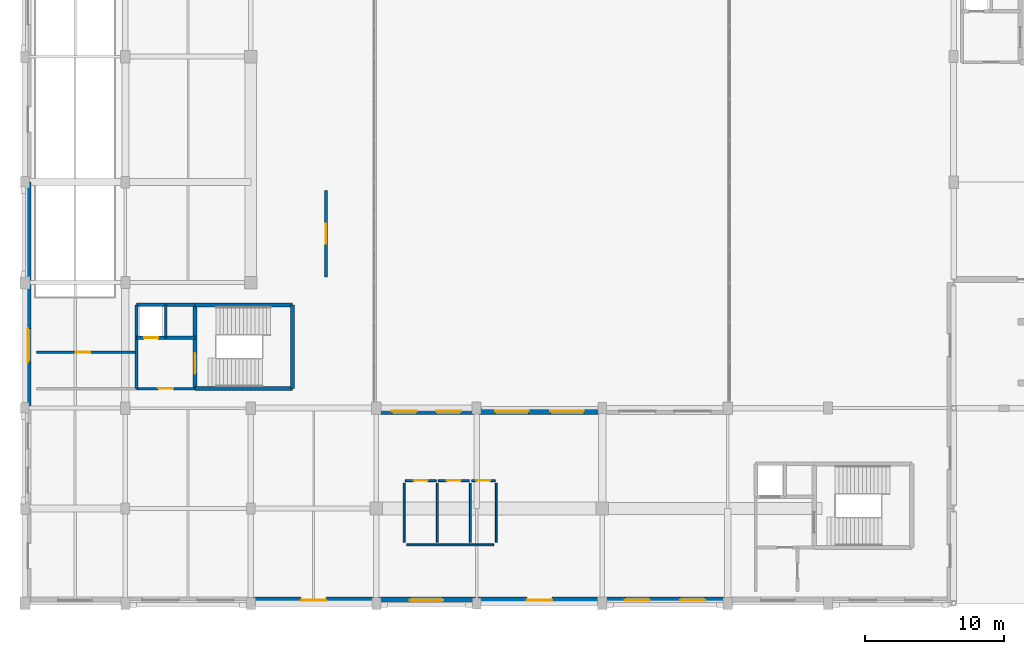
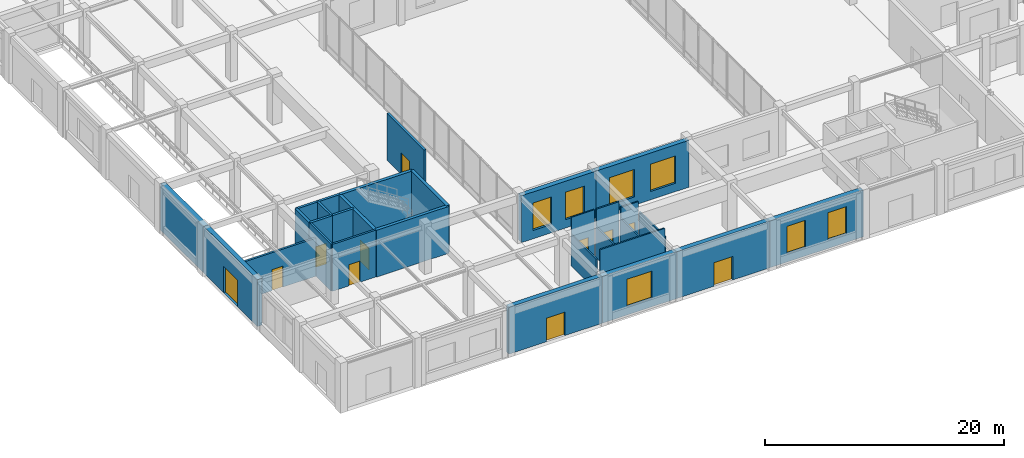
# One storey, part 45 of 64: 29 walls, 11 doors, 7 windows, 18 openings.
"""IFC4 building model written with IfcOpenShell, lengths in metres."""

from ifc_helpers import new_model, si_unit, direction, frame, frame_2d, origin, place, context, subcontext, project, spatial, rectangle, extrude, material, layer, layer_set, type_object, element, fill, save


model = new_model("IFC4")

# Units and contexts
model_context = context("Model", 3, precision=1e-05, world=origin(), true_north=direction((0.0, 1.0)))
body_context = subcontext(model_context, "Body", "Model", "MODEL_VIEW")
ifc_project = project(units=[si_unit("LENGTHUNIT", "METRE"), si_unit("AREAUNIT", "SQUARE_METRE"), si_unit("VOLUMEUNIT", "CUBIC_METRE"), si_unit("PLANEANGLEUNIT", "RADIAN"), si_unit("MASSUNIT", "GRAM", prefix="KILO")], contexts=[model_context])

# Site, building, storey
site_placement = place(None, origin())
site = spatial("IfcSite", under=ifc_project, at=site_placement, CompositionType="ELEMENT")
building_placement = place(site_placement, origin())
building = spatial("IfcBuilding", under=site, at=building_placement, Name="Clarverna Civic Hall", CompositionType="ELEMENT")
storey_placement = place(building_placement, origin())
storey = spatial("IfcBuildingStorey", under=building, at=storey_placement, Name="L00", CompositionType="ELEMENT", Elevation=0.0)

# Wall, opening, door
ifc_material_1 = material(Name="Precast concrete C40/50", Category="concrete")
ifc_layer_1 = layer(ifc_material_1, 0.449951171875)
ifc_layer_set_1 = layer_set([ifc_layer_1], Name="Precast concrete C40/50")
wall_type_1 = type_object("IfcWallType", Name="EW-01", PredefinedType="SOLIDWALL", material=ifc_layer_set_1)
wall_1_placement = place(storey_placement, frame((0.22509765625, 14.0, 0.0), z_axis=(0.0, 0.0, 1.0), x_axis=(0.0, 1.0, 0.0)))
wall_1 = element("IfcWall", 1, at=wall_1_placement, inside=storey, type_object=wall_type_1, Name="EW-01-003", PredefinedType="SOLIDWALL", context=body_context, shape_type="SweptSolid", body=[
    extrude(rectangle(XDim=9.0, YDim=0.449951171875, at=frame_2d((4.5, 0.0))), origin(), (0.0, 0.0, 1.0), 4.780029296875),
])
opening_1_placement = place(wall_1_placement, frame((3.300048828125, 0.0, 0.0)))
opening_1 = element("IfcOpeningElement", 2, at=opening_1_placement, cuts=wall_1, Name="Opening ED-01", PredefinedType="OPENING", context=body_context, shape_type="SweptSolid", body=[
    extrude(rectangle(XDim=2.39990234375, YDim=2.699951171875, at=frame_2d((1.199951171875, 1.35009765625))), frame((0.0, 0.23486328125, 0.0), z_axis=(0.0, -1.0, 0.0), x_axis=(1.0, 0.0, 0.0)), (0.0, 0.0, 1.0), 0.469970703125),
])
ifc_material_2 = material(Name="Anodised Bronze Glazed Door")
door_type_1 = type_object("IfcDoorType", Name="ED-01", OperationType="DOUBLE_DOOR_SINGLE_SWING", PredefinedType="DOOR", material=ifc_material_2)
door_1_placement = place(opening_1_placement, origin())
door_1 = element("IfcDoor", 3, at=door_1_placement, inside=storey, type_object=door_type_1, Name="ED-01-001", OperationType="DOUBLE_DOOR_SINGLE_SWING", OverallHeight=2.699951171875, OverallWidth=2.39990234375, PredefinedType="DOOR", context=body_context, shape_type="SweptSolid", body=[
    extrude(rectangle(XDim=2.39990234375, YDim=2.699951171875, at=frame_2d((1.199951171875, 1.35009765625))), frame((0.0, 0.02490234375, 0.0), z_axis=(0.0, -1.0, 0.0), x_axis=(1.0, 0.0, 0.0)), (0.0, 0.0, 1.0), 0.050048828125),
])
fill(opening_1, door_1)

# Wall
wall_2_placement = place(storey_placement, frame((0.22509765625, 23.0, 0.0), z_axis=(0.0, 0.0, 1.0), x_axis=(0.0, 1.0, 0.0)))
element("IfcWall", 4, at=wall_2_placement, inside=storey, type_object=wall_type_1, Name="EW-01-004", PredefinedType="SOLIDWALL", context=body_context, shape_type="SweptSolid", body=[
    extrude(rectangle(XDim=7.199951171875, YDim=0.449951171875, at=frame_2d((3.60009765625, 0.0))), origin(), (0.0, 0.0, 1.0), 4.780029296875),
])

# Wall, openings, windows
wall_3_placement = place(storey_placement, frame((50.39990234375, 0.22509765625, 0.0), z_axis=(0.0, 0.0, 1.0), x_axis=(-1.0, 0.0, 0.0)))
wall_3 = element("IfcWall", 5, at=wall_3_placement, inside=storey, type_object=wall_type_1, Name="EW-01-080", PredefinedType="SOLIDWALL", context=body_context, shape_type="SweptSolid", body=[
    extrude(rectangle(XDim=9.0, YDim=0.449951171875, at=frame_2d((4.5, 0.0))), origin(), (0.0, 0.0, 1.0), 4.780029296875),
])
opening_2_placement = place(wall_3_placement, frame((1.6201171875, 0.0, 0.85009765625)))
opening_2 = element("IfcOpeningElement", 6, at=opening_2_placement, cuts=wall_3, Name="Opening WN-01", PredefinedType="OPENING", context=body_context, shape_type="SweptSolid", body=[
    extrude(rectangle(XDim=1.800048828125, YDim=2.800048828125, at=frame_2d((0.89990234375, 1.39990234375))), frame((0.0, 0.23486328125, 0.0), z_axis=(0.0, -1.0, 0.0), x_axis=(1.0, 0.0, 0.0)), (0.0, 0.0, 1.0), 0.469970703125),
])
opening_3_placement = place(wall_3_placement, frame((5.580078125, 0.0, 0.85009765625)))
opening_3 = element("IfcOpeningElement", 7, at=opening_3_placement, cuts=wall_3, Name="Opening WN-01", PredefinedType="OPENING", context=body_context, shape_type="SweptSolid", body=[
    extrude(rectangle(XDim=1.800048828125, YDim=2.800048828125, at=frame_2d((0.89990234375, 1.39990234375))), frame((0.0, 0.23486328125, 0.0), z_axis=(0.0, -1.0, 0.0), x_axis=(1.0, 0.0, 0.0)), (0.0, 0.0, 1.0), 0.469970703125),
])
ifc_material_3 = material(Name="Solar-Control Argon Low-E Double Glazing", Category="glass")
window_type_1 = type_object("IfcWindowType", Name="WN-01", PartitioningType="DOUBLE_PANEL_VERTICAL", PredefinedType="WINDOW", material=ifc_material_3)
window_1_placement = place(opening_2_placement, origin())
window_1 = element("IfcWindow", 8, at=window_1_placement, inside=storey, type_object=window_type_1, Name="WN-01-018", OverallHeight=2.800048828125, OverallWidth=1.800048828125, PartitioningType="DOUBLE_PANEL_VERTICAL", PredefinedType="WINDOW", context=body_context, shape_type="SweptSolid", body=[
    extrude(rectangle(XDim=1.800048828125, YDim=2.800048828125, at=frame_2d((0.89990234375, 1.39990234375))), frame((0.0, 0.030029296875, 0.0), z_axis=(0.0, -1.0, 0.0), x_axis=(1.0, 0.0, 0.0)), (0.0, 0.0, 1.0), 0.06005859375),
])
fill(opening_2, window_1)
window_2_placement = place(opening_3_placement, origin())
window_2 = element("IfcWindow", 9, at=window_2_placement, inside=storey, type_object=window_type_1, Name="WN-01-019", OverallHeight=2.800048828125, OverallWidth=1.800048828125, PartitioningType="DOUBLE_PANEL_VERTICAL", PredefinedType="WINDOW", context=body_context, shape_type="SweptSolid", body=[
    extrude(rectangle(XDim=1.800048828125, YDim=2.800048828125, at=frame_2d((0.89990234375, 1.39990234375))), frame((0.0, 0.030029296875, 0.0), z_axis=(0.0, -1.0, 0.0), x_axis=(1.0, 0.0, 0.0)), (0.0, 0.0, 1.0), 0.06005859375),
])
fill(opening_3, window_2)

# Wall, opening, door
wall_4_placement = place(storey_placement, frame((41.39990234375, 0.22509765625, 0.0), z_axis=(0.0, 0.0, 1.0), x_axis=(-1.0, 0.0, 0.0)))
wall_4 = element("IfcWall", 10, at=wall_4_placement, inside=storey, type_object=wall_type_1, Name="EW-01-081", PredefinedType="SOLIDWALL", context=body_context, shape_type="SweptSolid", body=[
    extrude(rectangle(XDim=9.0, YDim=0.449951171875, at=frame_2d((4.5, 0.0))), origin(), (0.0, 0.0, 1.0), 4.780029296875),
])
opening_4_placement = place(wall_4_placement, frame((3.60009765625, 0.0, 0.0)))
opening_4 = element("IfcOpeningElement", 11, at=opening_4_placement, cuts=wall_4, Name="Opening ED-02", PredefinedType="OPENING", context=body_context, shape_type="SweptSolid", body=[
    extrude(rectangle(XDim=1.800048828125, YDim=2.39990234375, at=frame_2d((0.89990234375, 1.199951171875))), frame((0.0, 0.23486328125, 0.0), z_axis=(0.0, -1.0, 0.0), x_axis=(1.0, 0.0, 0.0)), (0.0, 0.0, 1.0), 0.469970703125),
])
door_type_2 = type_object("IfcDoorType", Name="ED-02", OperationType="DOUBLE_DOOR_SINGLE_SWING", PredefinedType="DOOR", material=ifc_material_2)
door_2_placement = place(opening_4_placement, origin())
door_2 = element("IfcDoor", 12, at=door_2_placement, inside=storey, type_object=door_type_2, Name="ED-02-016", OperationType="DOUBLE_DOOR_SINGLE_SWING", OverallHeight=2.39990234375, OverallWidth=1.800048828125, PredefinedType="DOOR", context=body_context, shape_type="SweptSolid", body=[
    extrude(rectangle(XDim=1.800048828125, YDim=2.39990234375, at=frame_2d((0.89990234375, 1.199951171875))), frame((0.0, 0.02490234375, 0.0), z_axis=(0.0, -1.0, 0.0), x_axis=(1.0, 0.0, 0.0)), (0.0, 0.0, 1.0), 0.050048828125),
])
fill(opening_4, door_2)

# Wall, opening, window
wall_5_placement = place(storey_placement, frame((32.39990234375, 0.22509765625, 0.0), z_axis=(0.0, 0.0, 1.0), x_axis=(-1.0, 0.0, 0.0)))
wall_5 = element("IfcWall", 13, at=wall_5_placement, inside=storey, type_object=wall_type_1, Name="EW-01-082", PredefinedType="SOLIDWALL", context=body_context, shape_type="SweptSolid", body=[
    extrude(rectangle(XDim=7.199951171875, YDim=0.449951171875, at=frame_2d((3.60009765625, 0.0))), origin(), (0.0, 0.0, 1.0), 4.780029296875),
])
opening_5_placement = place(wall_5_placement, frame((2.39990234375, 0.0, 0.85009765625)))
opening_5 = element("IfcOpeningElement", 14, at=opening_5_placement, cuts=wall_5, Name="Opening WN-02", PredefinedType="OPENING", context=body_context, shape_type="SweptSolid", body=[
    extrude(rectangle(XDim=2.39990234375, YDim=2.800048828125, at=frame_2d((1.199951171875, 1.39990234375))), frame((0.0, 0.23486328125, 0.0), z_axis=(0.0, -1.0, 0.0), x_axis=(1.0, 0.0, 0.0)), (0.0, 0.0, 1.0), 0.469970703125),
])
window_type_2 = type_object("IfcWindowType", Name="WN-02", PartitioningType="TRIPLE_PANEL_VERTICAL", PredefinedType="WINDOW", material=ifc_material_3)
window_3_placement = place(opening_5_placement, origin())
window_3 = element("IfcWindow", 15, at=window_3_placement, inside=storey, type_object=window_type_2, Name="WN-02-013", OverallHeight=2.800048828125, OverallWidth=2.39990234375, PartitioningType="TRIPLE_PANEL_VERTICAL", PredefinedType="WINDOW", context=body_context, shape_type="SweptSolid", body=[
    extrude(rectangle(XDim=2.39990234375, YDim=2.800048828125, at=frame_2d((1.199951171875, 1.39990234375))), frame((0.0, 0.030029296875, 0.0), z_axis=(0.0, -1.0, 0.0), x_axis=(1.0, 0.0, 0.0)), (0.0, 0.0, 1.0), 0.06005859375),
])
fill(opening_5, window_3)

# Wall, opening, door
wall_6_placement = place(storey_placement, frame((25.199951171875, 0.22509765625, 0.0), z_axis=(0.0, 0.0, 1.0), x_axis=(-1.0, 0.0, 0.0)))
wall_6 = element("IfcWall", 16, at=wall_6_placement, inside=storey, type_object=wall_type_1, Name="EW-01-083", PredefinedType="SOLIDWALL", context=body_context, shape_type="SweptSolid", body=[
    extrude(rectangle(XDim=9.0, YDim=0.449951171875, at=frame_2d((4.5, 0.0))), origin(), (0.0, 0.0, 1.0), 4.780029296875),
])
opening_6_placement = place(wall_6_placement, frame((3.60009765625, 0.0, 0.0)))
opening_6 = element("IfcOpeningElement", 17, at=opening_6_placement, cuts=wall_6, Name="Opening ED-02", PredefinedType="OPENING", context=body_context, shape_type="SweptSolid", body=[
    extrude(rectangle(XDim=1.800048828125, YDim=2.39990234375, at=frame_2d((0.89990234375, 1.199951171875))), frame((0.0, 0.23486328125, 0.0), z_axis=(0.0, -1.0, 0.0), x_axis=(1.0, 0.0, 0.0)), (0.0, 0.0, 1.0), 0.469970703125),
])
door_3_placement = place(opening_6_placement, origin())
door_3 = element("IfcDoor", 18, at=door_3_placement, inside=storey, type_object=door_type_2, Name="ED-02-017", OperationType="DOUBLE_DOOR_SINGLE_SWING", OverallHeight=2.39990234375, OverallWidth=1.800048828125, PredefinedType="DOOR", context=body_context, shape_type="SweptSolid", body=[
    extrude(rectangle(XDim=1.800048828125, YDim=2.39990234375, at=frame_2d((0.89990234375, 1.199951171875))), frame((0.0, 0.02490234375, 0.0), z_axis=(0.0, -1.0, 0.0), x_axis=(1.0, 0.0, 0.0)), (0.0, 0.0, 1.0), 0.050048828125),
])
fill(opening_6, door_3)

# Wall, openings, windows
wall_7_placement = place(storey_placement, frame((25.199951171875, 13.77490234375, 0.0), z_axis=(0.0, 0.0, 1.0), x_axis=(1.0, 0.0, 0.0)))
wall_7 = element("IfcWall", 19, at=wall_7_placement, inside=storey, type_object=wall_type_1, Name="EW-01-095", PredefinedType="SOLIDWALL", context=body_context, shape_type="SweptSolid", body=[
    extrude(rectangle(XDim=7.199951171875, YDim=0.449951171875, at=frame_2d((3.60009765625, 0.0))), origin(), (0.0, 0.0, 1.0), 4.780029296875),
])
opening_7_placement = place(wall_7_placement, frame((1.115966796875, 0.0, 0.85009765625)))
opening_7 = element("IfcOpeningElement", 20, at=opening_7_placement, cuts=wall_7, Name="Opening WN-01", PredefinedType="OPENING", context=body_context, shape_type="SweptSolid", body=[
    extrude(rectangle(XDim=1.800048828125, YDim=2.800048828125, at=frame_2d((0.89990234375, 1.39990234375))), frame((0.0, 0.23486328125, 0.0), z_axis=(0.0, -1.0, 0.0), x_axis=(1.0, 0.0, 0.0)), (0.0, 0.0, 1.0), 0.469970703125),
])
opening_8_placement = place(wall_7_placement, frame((4.283935546875, 0.0, 0.85009765625)))
opening_8 = element("IfcOpeningElement", 21, at=opening_8_placement, cuts=wall_7, Name="Opening WN-01", PredefinedType="OPENING", context=body_context, shape_type="SweptSolid", body=[
    extrude(rectangle(XDim=1.800048828125, YDim=2.800048828125, at=frame_2d((0.89990234375, 1.39990234375))), frame((0.0, 0.23486328125, 0.0), z_axis=(0.0, -1.0, 0.0), x_axis=(1.0, 0.0, 0.0)), (0.0, 0.0, 1.0), 0.469970703125),
])
window_4_placement = place(opening_7_placement, origin())
window_4 = element("IfcWindow", 22, at=window_4_placement, inside=storey, type_object=window_type_1, Name="WN-01-024", OverallHeight=2.800048828125, OverallWidth=1.800048828125, PartitioningType="DOUBLE_PANEL_VERTICAL", PredefinedType="WINDOW", context=body_context, shape_type="SweptSolid", body=[
    extrude(rectangle(XDim=1.800048828125, YDim=2.800048828125, at=frame_2d((0.89990234375, 1.39990234375))), frame((0.0, 0.030029296875, 0.0), z_axis=(0.0, -1.0, 0.0), x_axis=(1.0, 0.0, 0.0)), (0.0, 0.0, 1.0), 0.06005859375),
])
fill(opening_7, window_4)
window_5_placement = place(opening_8_placement, origin())
window_5 = element("IfcWindow", 23, at=window_5_placement, inside=storey, type_object=window_type_1, Name="WN-01-025", OverallHeight=2.800048828125, OverallWidth=1.800048828125, PartitioningType="DOUBLE_PANEL_VERTICAL", PredefinedType="WINDOW", context=body_context, shape_type="SweptSolid", body=[
    extrude(rectangle(XDim=1.800048828125, YDim=2.800048828125, at=frame_2d((0.89990234375, 1.39990234375))), frame((0.0, 0.030029296875, 0.0), z_axis=(0.0, -1.0, 0.0), x_axis=(1.0, 0.0, 0.0)), (0.0, 0.0, 1.0), 0.06005859375),
])
fill(opening_8, window_5)

wall_8_placement = place(storey_placement, frame((32.39990234375, 13.77490234375, 0.0), z_axis=(0.0, 0.0, 1.0), x_axis=(1.0, 0.0, 0.0)))
wall_8 = element("IfcWall", 24, at=wall_8_placement, inside=storey, type_object=wall_type_1, Name="EW-01-096", PredefinedType="SOLIDWALL", context=body_context, shape_type="SweptSolid", body=[
    extrude(rectangle(XDim=9.0, YDim=0.449951171875, at=frame_2d((4.5, 0.0))), origin(), (0.0, 0.0, 1.0), 4.780029296875),
])
opening_9_placement = place(wall_8_placement, frame((1.320068359375, 0.0, 0.85009765625)))
opening_9 = element("IfcOpeningElement", 25, at=opening_9_placement, cuts=wall_8, Name="Opening WN-02", PredefinedType="OPENING", context=body_context, shape_type="SweptSolid", body=[
    extrude(rectangle(XDim=2.39990234375, YDim=2.800048828125, at=frame_2d((1.199951171875, 1.39990234375))), frame((0.0, 0.23486328125, 0.0), z_axis=(0.0, -1.0, 0.0), x_axis=(1.0, 0.0, 0.0)), (0.0, 0.0, 1.0), 0.469970703125),
])
opening_10_placement = place(wall_8_placement, frame((5.280029296875, 0.0, 0.85009765625)))
opening_10 = element("IfcOpeningElement", 26, at=opening_10_placement, cuts=wall_8, Name="Opening WN-02", PredefinedType="OPENING", context=body_context, shape_type="SweptSolid", body=[
    extrude(rectangle(XDim=2.39990234375, YDim=2.800048828125, at=frame_2d((1.199951171875, 1.39990234375))), frame((0.0, 0.23486328125, 0.0), z_axis=(0.0, -1.0, 0.0), x_axis=(1.0, 0.0, 0.0)), (0.0, 0.0, 1.0), 0.469970703125),
])
window_6_placement = place(opening_9_placement, origin())
window_6 = element("IfcWindow", 27, at=window_6_placement, inside=storey, type_object=window_type_2, Name="WN-02-018", OverallHeight=2.800048828125, OverallWidth=2.39990234375, PartitioningType="TRIPLE_PANEL_VERTICAL", PredefinedType="WINDOW", context=body_context, shape_type="SweptSolid", body=[
    extrude(rectangle(XDim=2.39990234375, YDim=2.800048828125, at=frame_2d((1.199951171875, 1.39990234375))), frame((0.0, 0.030029296875, 0.0), z_axis=(0.0, -1.0, 0.0), x_axis=(1.0, 0.0, 0.0)), (0.0, 0.0, 1.0), 0.06005859375),
])
fill(opening_9, window_6)
window_7_placement = place(opening_10_placement, origin())
window_7 = element("IfcWindow", 28, at=window_7_placement, inside=storey, type_object=window_type_2, Name="WN-02-019", OverallHeight=2.800048828125, OverallWidth=2.39990234375, PartitioningType="TRIPLE_PANEL_VERTICAL", PredefinedType="WINDOW", context=body_context, shape_type="SweptSolid", body=[
    extrude(rectangle(XDim=2.39990234375, YDim=2.800048828125, at=frame_2d((1.199951171875, 1.39990234375))), frame((0.0, 0.030029296875, 0.0), z_axis=(0.0, -1.0, 0.0), x_axis=(1.0, 0.0, 0.0)), (0.0, 0.0, 1.0), 0.06005859375),
])
fill(opening_10, window_7)

# Walls
ifc_material_4 = material(Name="Ceramic Brick and Plaster Wet-Room Partition", Category="masonry")
ifc_layer_2 = layer(ifc_material_4, 0.139892578125)
ifc_layer_set_2 = layer_set([ifc_layer_2], Name="Ceramic Brick and Plaster Wet-Room Partition")
wall_type_2 = type_object("IfcWallType", Name="PW-02", PredefinedType="PARTITIONING", material=ifc_layer_set_2)
wall_9_placement = place(storey_placement, frame((27.3798828125, 4.199951171875, 0.0), z_axis=(0.0, 0.0, 1.0), x_axis=(1.0, 0.0, 0.0)))
element("IfcWall", 29, at=wall_9_placement, inside=storey, type_object=wall_type_2, Name="PW-02-169", PredefinedType="PARTITIONING", context=body_context, shape_type="SweptSolid", body=[
    extrude(rectangle(XDim=6.240234375, YDim=0.139892578125, at=frame_2d((3.1201171875, 0.0))), origin(), (0.0, 0.0, 1.0), 4.22998046875),
])
for number, where, z_axis, x_axis, name in (
    (30, (27.199951171875, 4.3798828125, 0.0), (0.0, 0.0, 1.0), (0.0, 1.0, 0.0), "PW-02-170"),
    (31, (33.800048828125, 4.3798828125, 0.0), (0.0, 0.0, 1.0), (0.0, 1.0, 0.0), "PW-02-171"),
    (32, (29.575927734375, 4.3798828125, 0.0), (0.0, 0.0, 1.0), (0.0, 1.0, 0.0), "PW-02-172"),
    (33, (31.951904296875, 4.3798828125, 0.0), (0.0, 0.0, 1.0), (0.0, 1.0, 0.0), "PW-02-173"),
):
    element("IfcWall", number, at=place(storey_placement, frame(where, z_axis=z_axis, x_axis=x_axis)), inside=storey, type_object=wall_type_2, Name=name, PredefinedType="PARTITIONING", context=body_context, shape_type="SweptSolid", body=[
        extrude(rectangle(XDim=4.240234375, YDim=0.139892578125, at=frame_2d((2.1201171875, 0.0))), origin(), (0.0, 0.0, 1.0), 3.179931640625),
    ])

# Wall, opening, door
wall_10_placement = place(storey_placement, frame((27.280029296875, 8.800048828125, 0.0), z_axis=(0.0, 0.0, 1.0), x_axis=(1.0, 0.0, 0.0)))
wall_10 = element("IfcWall", 34, at=wall_10_placement, inside=storey, type_object=wall_type_2, Name="PW-02-174", PredefinedType="PARTITIONING", context=body_context, shape_type="SweptSolid", body=[
    extrude(rectangle(XDim=2.216064453125, YDim=0.139892578125, at=frame_2d((1.10791015625, 0.0))), origin(), (0.0, 0.0, 1.0), 4.780029296875),
])
opening_11_placement = place(wall_10_placement, frame((0.60791015625, 0.0, 0.0)))
opening_11 = element("IfcOpeningElement", 35, at=opening_11_placement, cuts=wall_10, Name="Opening ID-02", PredefinedType="OPENING", context=body_context, shape_type="SweptSolid", body=[
    extrude(rectangle(XDim=1.0, YDim=2.14990234375, at=frame_2d((0.5, 1.074951171875))), frame((0.0, 0.079833984375, 0.0), z_axis=(0.0, -1.0, 0.0), x_axis=(1.0, 0.0, 0.0)), (0.0, 0.0, 1.0), 0.159912109375),
])
ifc_material_5 = material(Name="European Oak Veneered Acoustic Timber Door", Category="wood")
door_type_3 = type_object("IfcDoorType", Name="ID-02", OperationType="NOTDEFINED", PredefinedType="DOOR", material=ifc_material_5)
door_4_placement = place(opening_11_placement, origin())
door_4 = element("IfcDoor", 36, at=door_4_placement, inside=storey, type_object=door_type_3, Name="ID-02-064", OperationType="SINGLE_SWING_RIGHT", OverallHeight=2.14990234375, OverallWidth=1.0, PredefinedType="DOOR", context=body_context, shape_type="SweptSolid", body=[
    extrude(rectangle(XDim=1.0, YDim=2.14990234375, at=frame_2d((0.5, 1.074951171875))), frame((0.0, 0.02490234375, 0.0), z_axis=(0.0, -1.0, 0.0), x_axis=(1.0, 0.0, 0.0)), (0.0, 0.0, 1.0), 0.050048828125),
])
fill(opening_11, door_4)

wall_11_placement = place(storey_placement, frame((29.656005859375, 8.800048828125, 0.0), z_axis=(0.0, 0.0, 1.0), x_axis=(1.0, 0.0, 0.0)))
wall_11 = element("IfcWall", 37, at=wall_11_placement, inside=storey, type_object=wall_type_2, Name="PW-02-175", PredefinedType="PARTITIONING", context=body_context, shape_type="SweptSolid", body=[
    extrude(rectangle(XDim=2.216064453125, YDim=0.139892578125, at=frame_2d((1.10791015625, 0.0))), origin(), (0.0, 0.0, 1.0), 4.780029296875),
])
opening_12_placement = place(wall_11_placement, frame((0.60791015625, 0.0, 0.0)))
opening_12 = element("IfcOpeningElement", 38, at=opening_12_placement, cuts=wall_11, Name="Opening ID-02", PredefinedType="OPENING", context=body_context, shape_type="SweptSolid", body=[
    extrude(rectangle(XDim=1.0, YDim=2.14990234375, at=frame_2d((0.5, 1.074951171875))), frame((0.0, 0.079833984375, 0.0), z_axis=(0.0, -1.0, 0.0), x_axis=(1.0, 0.0, 0.0)), (0.0, 0.0, 1.0), 0.159912109375),
])
door_5_placement = place(opening_12_placement, origin())
door_5 = element("IfcDoor", 39, at=door_5_placement, inside=storey, type_object=door_type_3, Name="ID-02-065", OperationType="SINGLE_SWING_LEFT", OverallHeight=2.14990234375, OverallWidth=1.0, PredefinedType="DOOR", context=body_context, shape_type="SweptSolid", body=[
    extrude(rectangle(XDim=1.0, YDim=2.14990234375, at=frame_2d((0.5, 1.074951171875))), frame((0.0, 0.02490234375, 0.0), z_axis=(0.0, -1.0, 0.0), x_axis=(1.0, 0.0, 0.0)), (0.0, 0.0, 1.0), 0.050048828125),
])
fill(opening_12, door_5)

wall_12_placement = place(storey_placement, frame((32.031982421875, 8.800048828125, 0.0), z_axis=(0.0, 0.0, 1.0), x_axis=(1.0, 0.0, 0.0)))
wall_12 = element("IfcWall", 40, at=wall_12_placement, inside=storey, type_object=wall_type_2, Name="PW-02-176", PredefinedType="PARTITIONING", context=body_context, shape_type="SweptSolid", body=[
    extrude(rectangle(XDim=1.68798828125, YDim=0.139892578125, at=frame_2d((0.843994140625, 0.0))), origin(), (0.0, 0.0, 1.0), 4.1298828125),
])
opening_13_placement = place(wall_12_placement, frame((0.343994140625, 0.0, 0.0)))
opening_13 = element("IfcOpeningElement", 41, at=opening_13_placement, cuts=wall_12, Name="Opening ID-02", PredefinedType="OPENING", context=body_context, shape_type="SweptSolid", body=[
    extrude(rectangle(XDim=1.0, YDim=2.14990234375, at=frame_2d((0.5, 1.074951171875))), frame((0.0, 0.079833984375, 0.0), z_axis=(0.0, -1.0, 0.0), x_axis=(1.0, 0.0, 0.0)), (0.0, 0.0, 1.0), 0.159912109375),
])
door_6_placement = place(opening_13_placement, origin())
door_6 = element("IfcDoor", 42, at=door_6_placement, inside=storey, type_object=door_type_3, Name="ID-02-066", OperationType="SINGLE_SWING_RIGHT", OverallHeight=2.14990234375, OverallWidth=1.0, PredefinedType="DOOR", context=body_context, shape_type="SweptSolid", body=[
    extrude(rectangle(XDim=1.0, YDim=2.14990234375, at=frame_2d((0.5, 1.074951171875))), frame((0.0, 0.02490234375, 0.0), z_axis=(0.0, -1.0, 0.0), x_axis=(1.0, 0.0, 0.0)), (0.0, 0.0, 1.0), 0.050048828125),
])
fill(opening_13, door_6)

ifc_material_6 = material(Name="Aerated Concrete Masonry Blockwork", Category="masonry")
ifc_layer_3 = layer(ifc_material_6, 0.219970703125)
ifc_layer_set_3 = layer_set([ifc_layer_3], Name="Aerated Concrete Masonry Blockwork")
wall_type_3 = type_object("IfcWallType", Name="PW-05", PredefinedType="PARTITIONING", material=ifc_layer_set_3)
wall_13_placement = place(storey_placement, frame((21.60009765625, 23.39990234375, 0.0), z_axis=(0.0, 0.0, 1.0), x_axis=(0.0, 1.0, 0.0)))
wall_13 = element("IfcWall", 43, at=wall_13_placement, inside=storey, type_object=wall_type_3, Name="PW-05-008", PredefinedType="PARTITIONING", context=body_context, shape_type="SweptSolid", body=[
    extrude(rectangle(XDim=6.2001953125, YDim=0.219970703125, at=frame_2d((3.10009765625, 0.0))), origin(), (0.0, 0.0, 1.0), 4.780029296875),
])
opening_14_placement = place(wall_13_placement, frame((2.375, 0.0, 0.0)))
opening_14 = element("IfcOpeningElement", 44, at=opening_14_placement, cuts=wall_13, Name="Opening FD-01", PredefinedType="OPENING", context=body_context, shape_type="SweptSolid", body=[
    extrude(rectangle(XDim=1.449951171875, YDim=2.199951171875, at=frame_2d((0.72509765625, 1.10009765625))), frame((0.0, 0.119873046875, 0.0), z_axis=(0.0, -1.0, 0.0), x_axis=(1.0, 0.0, 0.0)), (0.0, 0.0, 1.0), 0.239990234375),
])
ifc_material_7 = material(Name="Acoustic Timber-Faced Fire Door", Category="wood")
door_type_4 = type_object("IfcDoorType", Name="FD-01", OperationType="DOUBLE_DOOR_SINGLE_SWING", PredefinedType="DOOR", material=ifc_material_7)
door_7_placement = place(opening_14_placement, origin())
door_7 = element("IfcDoor", 45, at=door_7_placement, inside=storey, type_object=door_type_4, Name="FD-01-011", OperationType="DOUBLE_DOOR_SINGLE_SWING", OverallHeight=2.199951171875, OverallWidth=1.449951171875, PredefinedType="DOOR", context=body_context, shape_type="SweptSolid", body=[
    extrude(rectangle(XDim=1.449951171875, YDim=2.199951171875, at=frame_2d((0.72509765625, 1.10009765625))), frame((0.0, 0.02490234375, 0.0), z_axis=(0.0, -1.0, 0.0), x_axis=(1.0, 0.0, 0.0)), (0.0, 0.0, 1.0), 0.050048828125),
])
fill(opening_14, door_7)

# Wall
ifc_material_8 = material(Name="Acoustic Gypsum Plasterboard on Twin Frame", Category="gypsum")
ifc_layer_4 = layer(ifc_material_8, 0.18994140625)
ifc_layer_set_4 = layer_set([ifc_layer_4], Name="Acoustic Gypsum Plasterboard on Twin Frame")
wall_type_4 = type_object("IfcWallType", Name="PW-06", PredefinedType="PARTITIONING", material=ifc_layer_set_4)
wall_14_placement = place(storey_placement, frame((8.0, 15.39990234375, 0.0), z_axis=(0.0, 0.0, 1.0), x_axis=(0.0, 1.0, 0.0)))
element("IfcWall", 46, at=wall_14_placement, inside=storey, type_object=wall_type_4, Name="PW-06-081", PredefinedType="PARTITIONING", context=body_context, shape_type="SweptSolid", body=[
    extrude(rectangle(XDim=3.650146484375, YDim=0.18994140625, at=frame_2d((1.8251953125, 0.0))), origin(), (0.0, 0.0, 1.0), 4.780029296875),
])

# Wall, opening, door
wall_15_placement = place(storey_placement, frame((8.0, 15.39990234375, 0.0), z_axis=(0.0, 0.0, 1.0), x_axis=(1.0, 0.0, 0.0)))
wall_15 = element("IfcWall", 47, at=wall_15_placement, inside=storey, type_object=wall_type_4, Name="PW-06-082", PredefinedType="PARTITIONING", context=body_context, shape_type="SweptSolid", body=[
    extrude(rectangle(XDim=4.199951171875, YDim=0.18994140625, at=frame_2d((2.10009765625, 0.0))), origin(), (0.0, 0.0, 1.0), 4.780029296875),
])
opening_15_placement = place(wall_15_placement, frame((1.574951171875, 0.0, 0.0)))
opening_15 = element("IfcOpeningElement", 48, at=opening_15_placement, cuts=wall_15, Name="Opening FD-02", PredefinedType="OPENING", context=body_context, shape_type="SweptSolid", body=[
    extrude(rectangle(XDim=1.050048828125, YDim=2.14990234375, at=frame_2d((0.52490234375, 1.074951171875))), frame((0.0, 0.10498046875, 0.0), z_axis=(0.0, -1.0, 0.0), x_axis=(1.0, 0.0, 0.0)), (0.0, 0.0, 1.0), 0.2099609375),
])
door_type_5 = type_object("IfcDoorType", Name="FD-02", OperationType="NOTDEFINED", PredefinedType="DOOR", material=ifc_material_7)
door_8_placement = place(opening_15_placement, origin())
door_8 = element("IfcDoor", 49, at=door_8_placement, inside=storey, type_object=door_type_5, Name="FD-02-075", OperationType="SINGLE_SWING_RIGHT", OverallHeight=2.14990234375, OverallWidth=1.050048828125, PredefinedType="DOOR", context=body_context, shape_type="SweptSolid", body=[
    extrude(rectangle(XDim=1.050048828125, YDim=2.14990234375, at=frame_2d((0.52490234375, 1.074951171875))), frame((0.0, 0.02490234375, 0.0), z_axis=(0.0, -1.0, 0.0), x_axis=(1.0, 0.0, 0.0)), (0.0, 0.0, 1.0), 0.050048828125),
])
fill(opening_15, door_8)

wall_16_placement = place(storey_placement, frame((0.85009765625, 18.0, 0.0), z_axis=(0.0, 0.0, 1.0), x_axis=(1.0, 0.0, 0.0)))
wall_16 = element("IfcWall", 50, at=wall_16_placement, inside=storey, type_object=wall_type_4, Name="PW-06-132", PredefinedType="PARTITIONING", context=body_context, shape_type="SweptSolid", body=[
    extrude(rectangle(XDim=7.14990234375, YDim=0.18994140625, at=frame_2d((3.574951171875, 0.0))), origin(), (0.0, 0.0, 1.0), 3.8798828125),
])
opening_16_placement = place(wall_16_placement, frame((2.800048828125, 0.0, 0.0)))
opening_16 = element("IfcOpeningElement", 51, at=opening_16_placement, cuts=wall_16, Name="Opening FD-02", PredefinedType="OPENING", context=body_context, shape_type="SweptSolid", body=[
    extrude(rectangle(XDim=1.050048828125, YDim=2.14990234375, at=frame_2d((0.52490234375, 1.074951171875))), frame((0.0, 0.10498046875, 0.0), z_axis=(0.0, -1.0, 0.0), x_axis=(1.0, 0.0, 0.0)), (0.0, 0.0, 1.0), 0.2099609375),
])
door_9_placement = place(opening_16_placement, origin())
door_9 = element("IfcDoor", 52, at=door_9_placement, inside=storey, type_object=door_type_5, Name="FD-02-118", OperationType="SINGLE_SWING_LEFT", OverallHeight=2.14990234375, OverallWidth=1.050048828125, PredefinedType="DOOR", context=body_context, shape_type="SweptSolid", body=[
    extrude(rectangle(XDim=1.050048828125, YDim=2.14990234375, at=frame_2d((0.52490234375, 1.074951171875))), frame((0.0, 0.02490234375, 0.0), z_axis=(0.0, -1.0, 0.0), x_axis=(1.0, 0.0, 0.0)), (0.0, 0.0, 1.0), 0.050048828125),
])
fill(opening_16, door_9)

ifc_material_9 = material(Name="Concrete C35/45", Category="concrete")
ifc_layer_5 = layer(ifc_material_9, 0.300048828125)
ifc_layer_set_5 = layer_set([ifc_layer_5], Name="Concrete C35/45")
wall_type_5 = type_object("IfcWallType", Name="SW-03", PredefinedType="SHEAR", material=ifc_layer_set_5)
wall_17_placement = place(storey_placement, frame((12.199951171875, 15.39990234375, 0.0), z_axis=(0.0, 0.0, 1.0), x_axis=(0.0, 1.0, 0.0)))
wall_17 = element("IfcWall", 53, at=wall_17_placement, inside=storey, type_object=wall_type_5, Name="SW-03-109", PredefinedType="SHEAR", context=body_context, shape_type="SweptSolid", body=[
    extrude(rectangle(XDim=6.0, YDim=0.300048828125, at=frame_2d((3.0, 0.0))), origin(), (0.0, 0.0, 1.0), 4.780029296875),
])
opening_17_placement = place(wall_17_placement, frame((1.074951171875, 0.0, 0.0)))
opening_17 = element("IfcOpeningElement", 54, at=opening_17_placement, cuts=wall_17, Name="Opening FD-01", PredefinedType="OPENING", context=body_context, shape_type="SweptSolid", body=[
    extrude(rectangle(XDim=1.449951171875, YDim=2.199951171875, at=frame_2d((0.72509765625, 1.10009765625))), frame((0.0, 0.159912109375, 0.0), z_axis=(0.0, -1.0, 0.0), x_axis=(1.0, 0.0, 0.0)), (0.0, 0.0, 1.0), 0.320068359375),
])
door_10_placement = place(opening_17_placement, origin())
door_10 = element("IfcDoor", 55, at=door_10_placement, inside=storey, type_object=door_type_4, Name="FD-01-007", OperationType="DOUBLE_DOOR_SINGLE_SWING", OverallHeight=2.199951171875, OverallWidth=1.449951171875, PredefinedType="DOOR", context=body_context, shape_type="SweptSolid", body=[
    extrude(rectangle(XDim=1.449951171875, YDim=2.199951171875, at=frame_2d((0.72509765625, 1.10009765625))), frame((0.0, 0.02490234375, 0.0), z_axis=(0.0, -1.0, 0.0), x_axis=(1.0, 0.0, 0.0)), (0.0, 0.0, 1.0), 0.050048828125),
])
fill(opening_17, door_10)

# Walls
wall_18_placement = place(storey_placement, frame((19.199951171875, 15.39990234375, 0.0), z_axis=(0.0, 0.0, 1.0), x_axis=(0.0, 1.0, 0.0)))
element("IfcWall", 56, at=wall_18_placement, inside=storey, type_object=wall_type_5, Name="SW-03-110", PredefinedType="SHEAR", context=body_context, shape_type="SweptSolid", body=[
    extrude(rectangle(XDim=6.0, YDim=0.300048828125, at=frame_2d((3.0, 0.0))), origin(), (0.0, 0.0, 1.0), 4.780029296875),
])
for number, where, z_axis, x_axis, name in (
    (57, (12.199951171875, 15.39990234375, 0.0), (0.0, 0.0, 1.0), (1.0, 0.0, 0.0), "SW-03-111"),
    (58, (12.199951171875, 21.39990234375, 0.0), (0.0, 0.0, 1.0), (1.0, 0.0, 0.0), "SW-03-112"),
):
    element("IfcWall", number, at=place(storey_placement, frame(where, z_axis=z_axis, x_axis=x_axis)), inside=storey, type_object=wall_type_5, Name=name, PredefinedType="SHEAR", context=body_context, shape_type="SweptSolid", body=[
        extrude(rectangle(XDim=7.0, YDim=0.300048828125, at=frame_2d((3.5, 0.0))), origin(), (0.0, 0.0, 1.0), 4.780029296875),
    ])
wall_19_placement = place(storey_placement, frame((8.0, 21.39990234375, 0.0), z_axis=(0.0, 0.0, 1.0), x_axis=(1.0, 0.0, 0.0)))
element("IfcWall", 59, at=wall_19_placement, inside=storey, type_object=wall_type_5, Name="SW-03-113", PredefinedType="SHEAR", context=body_context, shape_type="SweptSolid", body=[
    extrude(rectangle(XDim=4.199951171875, YDim=0.239990234375, at=frame_2d((2.10009765625, 0.0))), origin(), (0.0, 0.0, 1.0), 4.780029296875),
])
wall_20_placement = place(storey_placement, frame((8.0, 19.050048828125, 0.0), z_axis=(0.0, 0.0, 1.0), x_axis=(0.0, 1.0, 0.0)))
element("IfcWall", 60, at=wall_20_placement, inside=storey, type_object=wall_type_5, Name="SW-03-114", PredefinedType="SHEAR", context=body_context, shape_type="SweptSolid", body=[
    extrude(rectangle(XDim=2.349853515625, YDim=0.239990234375, at=frame_2d((1.1748046875, 0.0))), origin(), (0.0, 0.0, 1.0), 4.780029296875),
])
wall_21_placement = place(storey_placement, frame((10.10009765625, 19.050048828125, 0.0), z_axis=(0.0, 0.0, 1.0), x_axis=(0.0, 1.0, 0.0)))
element("IfcWall", 61, at=wall_21_placement, inside=storey, type_object=wall_type_5, Name="SW-03-115", PredefinedType="SHEAR", context=body_context, shape_type="SweptSolid", body=[
    extrude(rectangle(XDim=2.349853515625, YDim=0.199951171875, at=frame_2d((1.1748046875, 0.0))), origin(), (0.0, 0.0, 1.0), 4.780029296875),
])

# Wall, opening, door
wall_22_placement = place(storey_placement, frame((8.0, 19.050048828125, 0.0), z_axis=(0.0, 0.0, 1.0), x_axis=(1.0, 0.0, 0.0)))
wall_22 = element("IfcWall", 62, at=wall_22_placement, inside=storey, type_object=wall_type_5, Name="SW-03-116", PredefinedType="SHEAR", context=body_context, shape_type="SweptSolid", body=[
    extrude(rectangle(XDim=2.10009765625, YDim=0.239990234375, at=frame_2d((1.050048828125, 0.0))), origin(), (0.0, 0.0, 1.0), 4.780029296875),
])
opening_18_placement = place(wall_22_placement, frame((0.550048828125, 0.0, 0.0)))
opening_18 = element("IfcOpeningElement", 63, at=opening_18_placement, cuts=wall_22, Name="Opening LD-01", PredefinedType="OPENING", context=body_context, shape_type="SweptSolid", body=[
    extrude(rectangle(XDim=1.0, YDim=2.10009765625, at=frame_2d((0.5, 1.050048828125))), frame((0.0, 0.1298828125, 0.0), z_axis=(0.0, -1.0, 0.0), x_axis=(1.0, 0.0, 0.0)), (0.0, 0.0, 1.0), 0.260009765625),
])
ifc_material_10 = material(Name="Brushed Bronze Stainless Lift Landing Door")
door_type_6 = type_object("IfcDoorType", Name="LD-01", OperationType="SLIDING_TO_LEFT", PredefinedType="DOOR", material=ifc_material_10)
door_11_placement = place(opening_18_placement, origin())
door_11 = element("IfcDoor", 64, at=door_11_placement, inside=storey, type_object=door_type_6, Name="LD-01-060", OperationType="SLIDING_TO_LEFT", OverallHeight=2.10009765625, OverallWidth=1.0, PredefinedType="DOOR", context=body_context, shape_type="SweptSolid", body=[
    extrude(rectangle(XDim=1.0, YDim=2.10009765625, at=frame_2d((0.5, 1.050048828125))), frame((0.0, 0.02490234375, 0.0), z_axis=(0.0, -1.0, 0.0), x_axis=(1.0, 0.0, 0.0)), (0.0, 0.0, 1.0), 0.050048828125),
])
fill(opening_18, door_11)

# Wall
wall_23_placement = place(storey_placement, frame((10.10009765625, 19.050048828125, 0.0), z_axis=(0.0, 0.0, 1.0), x_axis=(1.0, 0.0, 0.0)))
element("IfcWall", 65, at=wall_23_placement, inside=storey, type_object=wall_type_5, Name="SW-03-117", PredefinedType="SHEAR", context=body_context, shape_type="SweptSolid", body=[
    extrude(rectangle(XDim=2.099853515625, YDim=0.239990234375, at=frame_2d((1.0498046875, 0.0))), origin(), (0.0, 0.0, 1.0), 4.780029296875),
])

save(model, "model.ifc")
